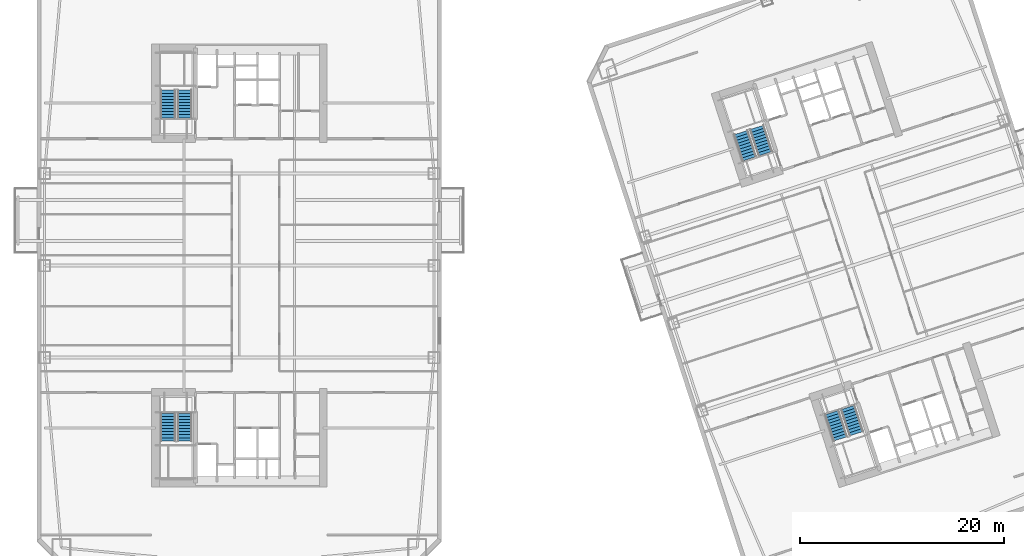
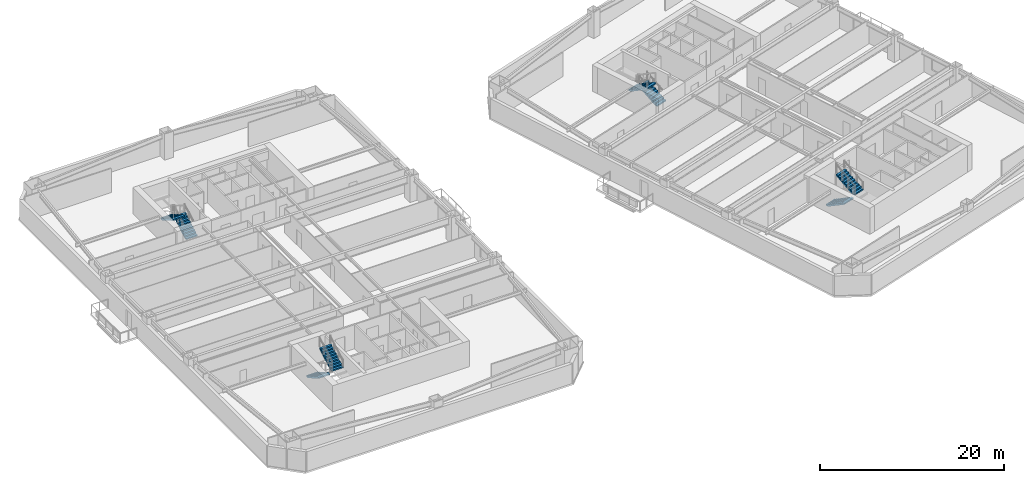
# One storey, part 10 of 15: 8 stair flights, 4 elements without a shape of their own.
"""IFC4 building model written with IfcOpenShell, lengths in metres."""

from ifc_helpers import new_model, si_unit, direction, frame, origin, place, context, subcontext, project, spatial, polyline, outline, extrude, material, type_object, element, aggregate, save


model = new_model("IFC4")

# Units and contexts
model_context = context("Model", 3, precision=1e-05, world=origin(), true_north=direction((0.0, 1.0)))
body_context = subcontext(model_context, "Body", "Model", "MODEL_VIEW")
ifc_project = project(units=[si_unit("LENGTHUNIT", "METRE"), si_unit("AREAUNIT", "SQUARE_METRE"), si_unit("VOLUMEUNIT", "CUBIC_METRE"), si_unit("PLANEANGLEUNIT", "RADIAN"), si_unit("MASSUNIT", "GRAM", prefix="KILO")], contexts=[model_context])

# Site, building, storey
site_placement = place(None, origin())
site = spatial("IfcSite", under=ifc_project, at=site_placement, CompositionType="ELEMENT")
building_placement = place(site_placement, origin())
building = spatial("IfcBuilding", under=site, at=building_placement, Name="Qiaolan Cultural Towers", CompositionType="ELEMENT")
storey_placement = place(building_placement, frame((0.0, 0.0, 50.60009765625)))
storey = spatial("IfcBuildingStorey", under=building, at=storey_placement, Name="L11", CompositionType="ELEMENT", Elevation=50.60009765625)

# Stair, stair flights
ifc_material_1 = material(Name="Concrete C45", Category="concrete")
stair_type = type_object("IfcStairType", Name="STR-CORE-1500", PredefinedType="HALF_TURN_STAIR", material=ifc_material_1)
stair_1_placement = place(storey_placement, origin())
stair_1 = element("IfcStair", 1, at=stair_1_placement, inside=storey, type_object=stair_type, Name="L11 Smokeproof Exit Stair ST-W1", PredefinedType="HALF_TURN_STAIR")
ifc_material_2 = material(Name="Concrete C45", Category="concrete")
stair_flight_type = type_object("IfcStairFlightType", Name="STR-CORE-1500-FL", PredefinedType="STRAIGHT", material=ifc_material_2)
stair_flight_1_placement = place(storey_placement, frame((23.02001953125, 19.550048828125, 0.0), z_axis=(0.0, 0.0, 1.0), x_axis=(0.0, -1.0, 0.0)))
stair_flight_1 = element("IfcStairFlight", 2, at=stair_flight_1_placement, type_object=stair_flight_type, Name="ST-W1 flight 1", NumberOfRisers=10, NumberOfTreads=9, PredefinedType="STRAIGHT", RiserHeight=0.1725, TreadLength=0.3, context=body_context, shape_type="SweptSolid", body=[
    extrude(outline(polyline([(0.0, 0.0), (0.0, 0.172607421875), (0.300048828125, 0.172607421875), (0.300048828125, 0.344970703125), (0.60009765625, 0.344970703125), (0.60009765625, 0.517578125), (0.89990234375, 0.517578125), (0.89990234375, 0.68994140625), (1.199951171875, 0.68994140625), (1.199951171875, 0.862548828125), (1.5, 0.862548828125), (1.5, 1.034912109375), (1.800048828125, 1.034912109375), (1.800048828125, 1.20751953125), (2.10009765625, 1.20751953125), (2.10009765625, 1.3798828125), (2.39990234375, 1.3798828125), (2.39990234375, 1.552490234375), (2.699951171875, 1.552490234375), (2.699951171875, 1.72509765625), (2.699951171875, 1.379638671875), (0.30078125, 0.0), (0.0, 0.0)])), frame((0.0, 0.719970703125, 0.0), z_axis=(0.0, -1.0, 0.0), x_axis=(1.0, 0.0, 0.0)), (0.0, 0.0, 1.0), 1.43994140625),
])
stair_flight_2_placement = place(storey_placement, frame((24.659912109375, 16.85009765625, 1.724853515625), z_axis=(0.0, 0.0, 1.0), x_axis=(0.0, 1.0, 0.0)))
stair_flight_2 = element("IfcStairFlight", 3, at=stair_flight_2_placement, type_object=stair_flight_type, Name="ST-W1 flight 2", NumberOfRisers=10, NumberOfTreads=9, PredefinedType="STRAIGHT", RiserHeight=0.1725, TreadLength=0.3, context=body_context, shape_type="SweptSolid", body=[
    extrude(outline(polyline([(0.0, 0.0), (0.0, 0.172607421875), (0.300048828125, 0.172607421875), (0.300048828125, 0.344970703125), (0.60009765625, 0.344970703125), (0.60009765625, 0.517578125), (0.89990234375, 0.517578125), (0.89990234375, 0.68994140625), (1.199951171875, 0.68994140625), (1.199951171875, 0.862548828125), (1.5, 0.862548828125), (1.5, 1.034912109375), (1.800048828125, 1.034912109375), (1.800048828125, 1.20751953125), (2.10009765625, 1.20751953125), (2.10009765625, 1.3798828125), (2.39990234375, 1.3798828125), (2.39990234375, 1.552490234375), (2.699951171875, 1.552490234375), (2.699951171875, 1.72509765625), (2.699951171875, 1.379638671875), (0.30078125, 0.0), (0.0, 0.0)])), frame((0.0, 0.719970703125, 0.0), z_axis=(0.0, -1.0, 0.0), x_axis=(1.0, 0.0, 0.0)), (0.0, 0.0, 1.0), 1.43994140625),
])
aggregate(stair_1, [stair_flight_1, stair_flight_2])

stair_2_placement = place(storey_placement, origin())
stair_2 = element("IfcStair", 4, at=stair_2_placement, inside=storey, type_object=stair_type, Name="L11 Smokeproof Exit Stair ST-W2", PredefinedType="HALF_TURN_STAIR")
stair_flight_3_placement = place(storey_placement, frame((24.659912109375, 48.449951171875, 0.0), z_axis=(0.0, 0.0, 1.0), x_axis=(0.0, 1.0, 0.0)))
stair_flight_3 = element("IfcStairFlight", 5, at=stair_flight_3_placement, type_object=stair_flight_type, Name="ST-W2 flight 1", NumberOfRisers=10, NumberOfTreads=9, PredefinedType="STRAIGHT", RiserHeight=0.1725, TreadLength=0.3, context=body_context, shape_type="SweptSolid", body=[
    extrude(outline(polyline([(0.0, 0.0), (0.0, 0.172607421875), (0.300048828125, 0.172607421875), (0.300048828125, 0.344970703125), (0.60009765625, 0.344970703125), (0.60009765625, 0.517578125), (0.89990234375, 0.517578125), (0.89990234375, 0.68994140625), (1.199951171875, 0.68994140625), (1.199951171875, 0.862548828125), (1.5, 0.862548828125), (1.5, 1.034912109375), (1.800048828125, 1.034912109375), (1.800048828125, 1.20751953125), (2.10009765625, 1.20751953125), (2.10009765625, 1.3798828125), (2.39990234375, 1.3798828125), (2.39990234375, 1.552490234375), (2.699951171875, 1.552490234375), (2.699951171875, 1.72509765625), (2.699951171875, 1.379638671875), (0.30078125, 0.0), (0.0, 0.0)])), frame((0.0, 0.719970703125, 0.0), z_axis=(0.0, -1.0, 0.0), x_axis=(1.0, 0.0, 0.0)), (0.0, 0.0, 1.0), 1.43994140625),
])
stair_flight_4_placement = place(storey_placement, frame((23.02001953125, 51.14990234375, 1.724853515625), z_axis=(0.0, 0.0, 1.0), x_axis=(0.0, -1.0, 0.0)))
stair_flight_4 = element("IfcStairFlight", 6, at=stair_flight_4_placement, type_object=stair_flight_type, Name="ST-W2 flight 2", NumberOfRisers=10, NumberOfTreads=9, PredefinedType="STRAIGHT", RiserHeight=0.1725, TreadLength=0.3, context=body_context, shape_type="SweptSolid", body=[
    extrude(outline(polyline([(0.0, 0.0), (0.0, 0.172607421875), (0.300048828125, 0.172607421875), (0.300048828125, 0.344970703125), (0.60009765625, 0.344970703125), (0.60009765625, 0.517578125), (0.89990234375, 0.517578125), (0.89990234375, 0.68994140625), (1.199951171875, 0.68994140625), (1.199951171875, 0.862548828125), (1.5, 0.862548828125), (1.5, 1.034912109375), (1.800048828125, 1.034912109375), (1.800048828125, 1.20751953125), (2.10009765625, 1.20751953125), (2.10009765625, 1.3798828125), (2.39990234375, 1.3798828125), (2.39990234375, 1.552490234375), (2.699951171875, 1.552490234375), (2.699951171875, 1.72509765625), (2.699951171875, 1.379638671875), (0.30078125, 0.0), (0.0, 0.0)])), frame((0.0, 0.719970703125, 0.0), z_axis=(0.0, -1.0, 0.0), x_axis=(1.0, 0.0, 0.0)), (0.0, 0.0, 1.0), 1.43994140625),
])
aggregate(stair_2, [stair_flight_3, stair_flight_4])

stair_3_placement = place(storey_placement, origin())
stair_3 = element("IfcStair", 7, at=stair_3_placement, inside=storey, type_object=stair_type, Name="L11 Smokeproof Exit Stair ST-E1", PredefinedType="HALF_TURN_STAIR")
stair_flight_5_placement = place(storey_placement, frame((87.96484375, 19.6171875, 0.0), z_axis=(0.0, 0.0, 1.0), x_axis=(0.309016994375, -0.951056516295, 0.0)))
stair_flight_5 = element("IfcStairFlight", 8, at=stair_flight_5_placement, type_object=stair_flight_type, Name="ST-E1 flight 1", NumberOfRisers=10, NumberOfTreads=9, PredefinedType="STRAIGHT", RiserHeight=0.1725, TreadLength=0.3, context=body_context, shape_type="SweptSolid", body=[
    extrude(outline(polyline([(0.0, 0.0), (0.0, 0.172607421875), (0.300048828125, 0.172607421875), (0.300048828125, 0.344970703125), (0.60009765625, 0.344970703125), (0.60009765625, 0.517578125), (0.89990234375, 0.517578125), (0.89990234375, 0.68994140625), (1.199951171875, 0.68994140625), (1.199951171875, 0.862548828125), (1.5, 0.862548828125), (1.5, 1.034912109375), (1.800048828125, 1.034912109375), (1.800048828125, 1.20751953125), (2.10009765625, 1.20751953125), (2.10009765625, 1.3798828125), (2.39990234375, 1.3798828125), (2.39990234375, 1.552490234375), (2.699951171875, 1.552490234375), (2.699951171875, 1.72509765625), (2.699951171875, 1.379638671875), (0.30078125, 0.0), (0.0, 0.0)])), frame((0.0, 0.719970703125, 0.0), z_axis=(0.0, -1.0, 0.0), x_axis=(1.0, 0.0, 0.0)), (0.0, 0.0, 1.0), 1.43994140625),
])
stair_flight_6_placement = place(storey_placement, frame((90.359130859375, 17.55615234375, 1.724853515625), z_axis=(0.0, 0.0, 1.0), x_axis=(-0.309016994375, 0.951056516295, 0.0)))
stair_flight_6 = element("IfcStairFlight", 9, at=stair_flight_6_placement, type_object=stair_flight_type, Name="ST-E1 flight 2", NumberOfRisers=10, NumberOfTreads=9, PredefinedType="STRAIGHT", RiserHeight=0.1725, TreadLength=0.3, context=body_context, shape_type="SweptSolid", body=[
    extrude(outline(polyline([(0.0, 0.0), (0.0, 0.172607421875), (0.300048828125, 0.172607421875), (0.300048828125, 0.344970703125), (0.60009765625, 0.344970703125), (0.60009765625, 0.517578125), (0.89990234375, 0.517578125), (0.89990234375, 0.68994140625), (1.199951171875, 0.68994140625), (1.199951171875, 0.862548828125), (1.5, 0.862548828125), (1.5, 1.034912109375), (1.800048828125, 1.034912109375), (1.800048828125, 1.20751953125), (2.10009765625, 1.20751953125), (2.10009765625, 1.3798828125), (2.39990234375, 1.3798828125), (2.39990234375, 1.552490234375), (2.699951171875, 1.552490234375), (2.699951171875, 1.72509765625), (2.699951171875, 1.379638671875), (0.30078125, 0.0), (0.0, 0.0)])), frame((0.0, 0.719970703125, 0.0), z_axis=(0.0, -1.0, 0.0), x_axis=(1.0, 0.0, 0.0)), (0.0, 0.0, 1.0), 1.43994140625),
])
aggregate(stair_3, [stair_flight_5, stair_flight_6])

stair_4_placement = place(storey_placement, origin())
stair_4 = element("IfcStair", 10, at=stair_4_placement, inside=storey, type_object=stair_type, Name="L11 Smokeproof Exit Stair ST-E2", PredefinedType="HALF_TURN_STAIR")
stair_flight_7_placement = place(storey_placement, frame((81.459228515625, 44.946533203125, 0.0), z_axis=(0.0, 0.0, 1.0), x_axis=(-0.309016994375, 0.951056516295, 0.0)))
stair_flight_7 = element("IfcStairFlight", 11, at=stair_flight_7_placement, type_object=stair_flight_type, Name="ST-E2 flight 1", NumberOfRisers=10, NumberOfTreads=9, PredefinedType="STRAIGHT", RiserHeight=0.1725, TreadLength=0.3, context=body_context, shape_type="SweptSolid", body=[
    extrude(outline(polyline([(0.0, 0.0), (0.0, 0.172607421875), (0.300048828125, 0.172607421875), (0.300048828125, 0.344970703125), (0.60009765625, 0.344970703125), (0.60009765625, 0.517578125), (0.89990234375, 0.517578125), (0.89990234375, 0.68994140625), (1.199951171875, 0.68994140625), (1.199951171875, 0.862548828125), (1.5, 0.862548828125), (1.5, 1.034912109375), (1.800048828125, 1.034912109375), (1.800048828125, 1.20751953125), (2.10009765625, 1.20751953125), (2.10009765625, 1.3798828125), (2.39990234375, 1.3798828125), (2.39990234375, 1.552490234375), (2.699951171875, 1.552490234375), (2.699951171875, 1.72509765625), (2.699951171875, 1.379638671875), (0.30078125, 0.0), (0.0, 0.0)])), frame((0.0, 0.719970703125, 0.0), z_axis=(0.0, -1.0, 0.0), x_axis=(1.0, 0.0, 0.0)), (0.0, 0.0, 1.0), 1.43994140625),
])
stair_flight_8_placement = place(storey_placement, frame((79.065185546875, 47.007568359375, 1.724853515625), z_axis=(0.0, 0.0, 1.0), x_axis=(0.309016994375, -0.951056516295, 0.0)))
stair_flight_8 = element("IfcStairFlight", 12, at=stair_flight_8_placement, type_object=stair_flight_type, Name="ST-E2 flight 2", NumberOfRisers=10, NumberOfTreads=9, PredefinedType="STRAIGHT", RiserHeight=0.1725, TreadLength=0.3, context=body_context, shape_type="SweptSolid", body=[
    extrude(outline(polyline([(0.0, 0.0), (0.0, 0.172607421875), (0.300048828125, 0.172607421875), (0.300048828125, 0.344970703125), (0.60009765625, 0.344970703125), (0.60009765625, 0.517578125), (0.89990234375, 0.517578125), (0.89990234375, 0.68994140625), (1.199951171875, 0.68994140625), (1.199951171875, 0.862548828125), (1.5, 0.862548828125), (1.5, 1.034912109375), (1.800048828125, 1.034912109375), (1.800048828125, 1.20751953125), (2.10009765625, 1.20751953125), (2.10009765625, 1.3798828125), (2.39990234375, 1.3798828125), (2.39990234375, 1.552490234375), (2.699951171875, 1.552490234375), (2.699951171875, 1.72509765625), (2.699951171875, 1.379638671875), (0.30078125, 0.0), (0.0, 0.0)])), frame((0.0, 0.719970703125, 0.0), z_axis=(0.0, -1.0, 0.0), x_axis=(1.0, 0.0, 0.0)), (0.0, 0.0, 1.0), 1.43994140625),
])
aggregate(stair_4, [stair_flight_7, stair_flight_8])

save(model, "model.ifc")
